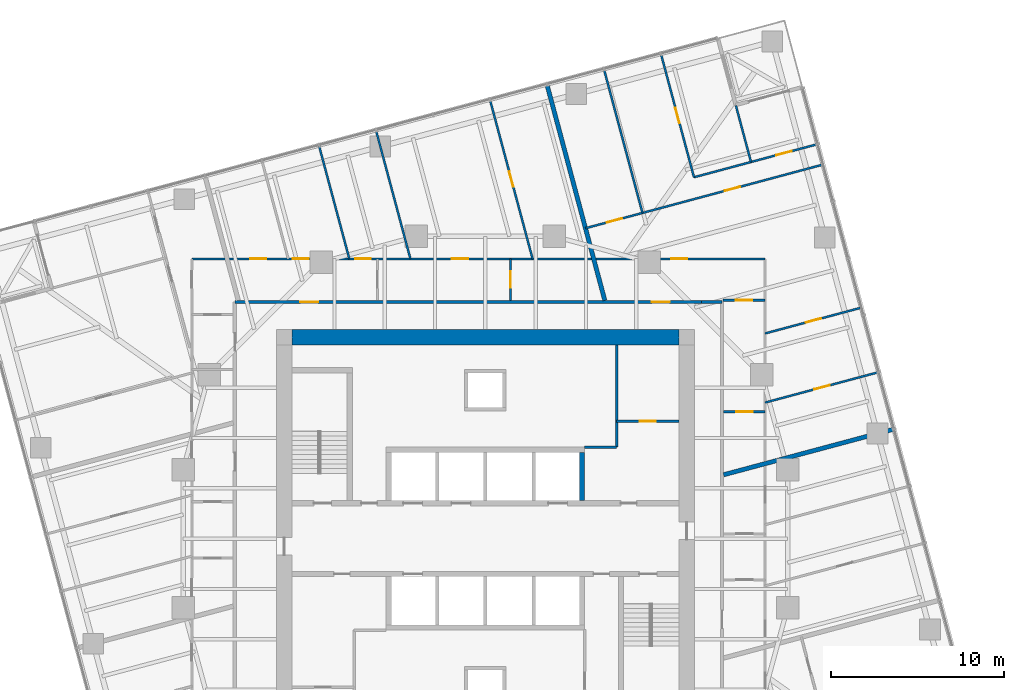
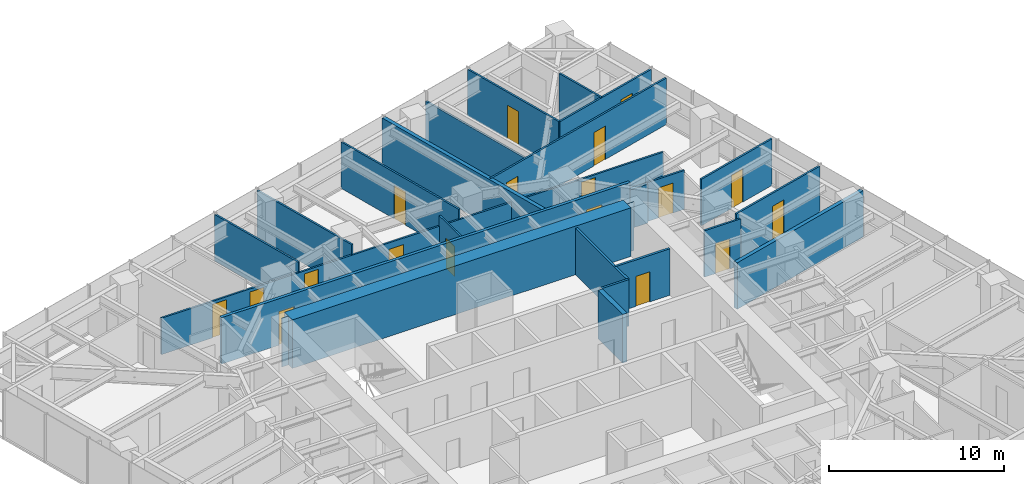
# One storey, part 12 of 14: 23 walls, 18 doors, 18 openings.
"""IFC4 building model written with IfcOpenShell, lengths in metres."""

from ifc_helpers import new_model, si_unit, direction, frame, frame_2d, origin, place, context, subcontext, project, spatial, polyline, rectangle, outline, extrude, material, layer, layer_set, type_object, element, fill, save


model = new_model("IFC4")

# Units and contexts
model_context = context("Model", 3, precision=1e-05, world=origin(), true_north=direction((0.0, 1.0)))
body_context = subcontext(model_context, "Body", "Model", "MODEL_VIEW")
ifc_project = project(units=[si_unit("LENGTHUNIT", "METRE"), si_unit("AREAUNIT", "SQUARE_METRE"), si_unit("VOLUMEUNIT", "CUBIC_METRE"), si_unit("PLANEANGLEUNIT", "RADIAN"), si_unit("MASSUNIT", "GRAM", prefix="KILO")], contexts=[model_context])

# Site, building, storey
site_placement = place(None, origin())
site = spatial("IfcSite", under=ifc_project, at=site_placement, CompositionType="ELEMENT")
building_placement = place(site_placement, origin())
building = spatial("IfcBuilding", under=site, at=building_placement, Name="Torsade Residences", CompositionType="ELEMENT")
storey_placement = place(building_placement, frame((0.0, 0.0, 128.60009765625)))
storey = spatial("IfcBuildingStorey", under=building, at=storey_placement, Name="L35", CompositionType="ELEMENT", Elevation=128.60009765625)

# Walls
ifc_material_1 = material(Name="Concrete 80 MPa", Category="concrete")
ifc_layer_1 = layer(ifc_material_1, 0.300048828125)
ifc_layer_set_1 = layer_set([ifc_layer_1], Name="Concrete 80 MPa")
wall_type_1 = type_object("IfcWallType", Name="CORE INTERNAL WALL 300", PredefinedType="SHEAR", material=ifc_layer_set_1)
wall_1_placement = place(storey_placement, frame((45.60009765625, 32.199951171875, 0.0), z_axis=(0.0, 0.0, 1.0), x_axis=(0.0, 1.0, 0.0)))
element("IfcWall", 1, at=wall_1_placement, inside=storey, type_object=wall_type_1, Name="Core wall DN4 L35", PredefinedType="SHEAR", context=body_context, shape_type="SweptSolid", body=[
    extrude(rectangle(XDim=2.800048828125, YDim=0.300048828125, at=frame_2d((1.39990234375, 0.0))), origin(), (0.0, 0.0, 1.0), 3.39990234375),
])
ifc_material_2 = material(Name="Concrete 80 MPa", Category="concrete")
ifc_layer_2 = layer(ifc_material_2, 0.89990234375)
ifc_layer_set_2 = layer_set([ifc_layer_2], Name="Concrete 80 MPa")
wall_type_2 = type_object("IfcWallType", Name="CORE WALL 900", PredefinedType="SHEAR", material=ifc_layer_set_2)
wall_2_placement = place(storey_placement, frame((28.800048828125, 41.64990234375, 0.0), z_axis=(0.0, 0.0, 1.0), x_axis=(1.0, 0.0, 0.0)))
element("IfcWall", 2, at=wall_2_placement, inside=storey, type_object=wall_type_2, Name="Core wall N L35", PredefinedType="SHEAR", context=body_context, shape_type="SweptSolid", body=[
    extrude(outline(polyline([(0.0, -0.449951171875), (22.39990234375, -0.449951171875), (22.39990234375, -0.02490234375), (22.849853515625, -0.02490234375), (22.849853515625, 0.02490234375), (22.39990234375, 0.02490234375), (22.39990234375, 0.449951171875), (0.0, 0.449951171875), (0.0, 0.02490234375), (-0.449951171875, 0.02490234375), (-0.449951171875, -0.02490234375), (0.0, -0.02490234375), (0.0, -0.449951171875)])), origin(), (0.0, 0.0, 1.0), 3.39990234375),
])
ifc_material_3 = material(Name="Plasterboard on steel stud", Category="steel")
ifc_layer_3 = layer(ifc_material_3, 0.199951171875)
ifc_layer_set_3 = layer_set([ifc_layer_3], Name="Plasterboard on steel stud")
wall_type_3 = type_object("IfcWallType", Name="CORRIDOR WALL 200", PredefinedType="PARTITIONING", material=ifc_layer_set_3)
wall_3_placement = place(storey_placement, frame((53.699951171875, 43.699951171875, 0.0), z_axis=(0.0, 0.0, 1.0), x_axis=(-1.0, 0.0, 0.0)))
element("IfcWall", 3, at=wall_3_placement, inside=storey, type_object=wall_type_3, Name="Corridor wall L35", PredefinedType="PARTITIONING", context=body_context, shape_type="SweptSolid", body=[
    extrude(rectangle(XDim=1.179931640625, YDim=0.199951171875, at=frame_2d((0.58984375, 0.0))), origin(), (0.0, 0.0, 1.0), 2.721923828125),
])

# Wall, openings, doors
wall_4_placement = place(storey_placement, frame((52.52001953125, 43.699951171875, 0.0), z_axis=(0.0, 0.0, 1.0), x_axis=(-1.0, 0.0, 0.0)))
wall_4 = element("IfcWall", 4, at=wall_4_placement, inside=storey, type_object=wall_type_3, Name="Corridor wall L35", PredefinedType="PARTITIONING", context=body_context, shape_type="SweptSolid", body=[
    extrude(rectangle(XDim=27.02001953125, YDim=0.199951171875, at=frame_2d((13.510009765625, 0.0))), origin(), (0.0, 0.0, 1.0), 3.25),
])
opening_1_placement = place(wall_4_placement, frame((22.2080078125, 0.0, 0.0)))
opening_1 = element("IfcOpeningElement", 5, at=opening_1_placement, cuts=wall_4, Name="Opening D01", PredefinedType="OPENING", context=body_context, shape_type="SweptSolid", body=[
    extrude(rectangle(XDim=1.02001953125, YDim=2.340087890625, at=frame_2d((0.510009765625, 1.169921875))), frame((0.0, 0.10986328125, 0.0), z_axis=(0.0, -1.0, 0.0), x_axis=(1.0, 0.0, 0.0)), (0.0, 0.0, 1.0), 0.219970703125),
])
opening_2_placement = place(wall_4_placement, frame((1.855712890625, 0.0, 0.0)))
opening_2 = element("IfcOpeningElement", 6, at=opening_2_placement, cuts=wall_4, Name="Opening D01", PredefinedType="OPENING", context=body_context, shape_type="SweptSolid", body=[
    extrude(rectangle(XDim=1.02001953125, YDim=2.340087890625, at=frame_2d((0.510009765625, 1.169921875))), frame((0.0, 0.10986328125, 0.0), z_axis=(0.0, -1.0, 0.0), x_axis=(1.0, 0.0, 0.0)), (0.0, 0.0, 1.0), 0.219970703125),
])
ifc_material_4 = material(Name="Solid-core timber fire door", Category="wood")
door_type_1 = type_object("IfcDoorType", Name="APARTMENT ENTRY DOOR 1020x2340", OperationType="NOTDEFINED", PredefinedType="DOOR", material=ifc_material_4)
door_1_placement = place(opening_1_placement, origin())
door_1 = element("IfcDoor", 7, at=door_1_placement, inside=storey, type_object=door_type_1, Name="Door Residential corridor to Kitchen and dining", OperationType="SINGLE_SWING_LEFT", OverallHeight=2.340087890625, OverallWidth=1.02001953125, PredefinedType="DOOR", context=body_context, shape_type="SweptSolid", body=[
    extrude(rectangle(XDim=1.02001953125, YDim=2.340087890625, at=frame_2d((0.510009765625, 1.169921875))), frame((0.0, 0.02490234375, 0.0), z_axis=(0.0, -1.0, 0.0), x_axis=(1.0, 0.0, 0.0)), (0.0, 0.0, 1.0), 0.050048828125),
])
fill(opening_1, door_1)
door_2_placement = place(opening_2_placement, origin())
door_2 = element("IfcDoor", 8, at=door_2_placement, inside=storey, type_object=door_type_1, Name="Door Residential corridor to Kitchen and dining", OperationType="SINGLE_SWING_RIGHT", OverallHeight=2.340087890625, OverallWidth=1.02001953125, PredefinedType="DOOR", context=body_context, shape_type="SweptSolid", body=[
    extrude(rectangle(XDim=1.02001953125, YDim=2.340087890625, at=frame_2d((0.510009765625, 1.169921875))), frame((0.0, 0.02490234375, 0.0), z_axis=(0.0, -1.0, 0.0), x_axis=(1.0, 0.0, 0.0)), (0.0, 0.0, 1.0), 0.050048828125),
])
fill(opening_2, door_2)

# Wall, opening, door
ifc_material_5 = material(Name="Plasterboard on steel stud", Category="steel")
ifc_layer_4 = layer(ifc_material_5, 0.1201171875)
ifc_layer_set_4 = layer_set([ifc_layer_4], Name="Plasterboard on steel stud")
wall_type_4 = type_object("IfcWallType", Name="PARTITION 120", PredefinedType="PARTITIONING", material=ifc_layer_set_4)
wall_5_placement = place(storey_placement, frame((56.199951171875, 43.800048828125, 0.0), z_axis=(0.0, 0.0, 1.0), x_axis=(-1.0, 0.0, 0.0)))
wall_5 = element("IfcWall", 9, at=wall_5_placement, inside=storey, type_object=wall_type_4, Name="Partition L35", PredefinedType="PARTITIONING", context=body_context, shape_type="SweptSolid", body=[
    extrude(rectangle(XDim=2.449951171875, YDim=0.1201171875, at=frame_2d((1.22509765625, 0.0))), origin(), (0.0, 0.0, 1.0), 2.721923828125),
])
opening_3_placement = place(wall_5_placement, frame((0.7451171875, 0.0, 0.0)))
opening_3 = element("IfcOpeningElement", 10, at=opening_3_placement, cuts=wall_5, Name="Opening D05", PredefinedType="OPENING", context=body_context, shape_type="SweptSolid", body=[
    extrude(rectangle(XDim=0.9599609375, YDim=2.10009765625, at=frame_2d((0.47998046875, 1.050048828125))), frame((0.0, 0.070068359375, 0.0), z_axis=(0.0, -1.0, 0.0), x_axis=(1.0, 0.0, 0.0)), (0.0, 0.0, 1.0), 0.14013671875),
])
ifc_material_6 = material(Name="Hollow-core timber door in a steel cavity frame", Category="steel")
door_type_2 = type_object("IfcDoorType", Name="BATHROOM CAVITY SLIDING DOOR 960", OperationType="SLIDING_TO_LEFT", PredefinedType="DOOR", material=ifc_material_6)
door_3_placement = place(opening_3_placement, origin())
door_3 = element("IfcDoor", 11, at=door_3_placement, inside=storey, type_object=door_type_2, Name="Door Kitchen and dining to Bathroom", OperationType="SLIDING_TO_LEFT", OverallHeight=2.10009765625, OverallWidth=0.9599609375, PredefinedType="DOOR", context=body_context, shape_type="SweptSolid", body=[
    extrude(rectangle(XDim=0.9599609375, YDim=2.10009765625, at=frame_2d((0.47998046875, 1.050048828125))), frame((0.0, 0.02490234375, 0.0), z_axis=(0.0, -1.0, 0.0), x_axis=(1.0, 0.0, 0.0)), (0.0, 0.0, 1.0), 0.050048828125),
])
fill(opening_3, door_3)

# Wall, openings, doors
wall_6_placement = place(storey_placement, frame((23.0, 46.199951171875, 0.0), z_axis=(0.0, 0.0, 1.0), x_axis=(1.0, 0.0, 0.0)))
wall_6 = element("IfcWall", 12, at=wall_6_placement, inside=storey, type_object=wall_type_4, Name="Partition L35", PredefinedType="PARTITIONING", context=body_context, shape_type="SweptSolid", body=[
    extrude(rectangle(XDim=33.199951171875, YDim=0.1201171875, at=frame_2d((16.60009765625, 0.0))), origin(), (0.0, 0.0, 1.0), 2.5498046875),
])
opening_4_placement = place(wall_6_placement, frame((5.843505859375, 0.0, 0.0)))
opening_4 = element("IfcOpeningElement", 13, at=opening_4_placement, cuts=wall_6, Name="Opening D02", PredefinedType="OPENING", context=body_context, shape_type="SweptSolid", body=[
    extrude(rectangle(XDim=0.919921875, YDim=2.340087890625, at=frame_2d((0.4599609375, 1.169921875))), frame((0.0, 0.070068359375, 0.0), z_axis=(0.0, -1.0, 0.0), x_axis=(1.0, 0.0, 0.0)), (0.0, 0.0, 1.0), 0.14013671875),
])
opening_5_placement = place(wall_6_placement, frame((3.382080078125, 0.0, 0.0)))
opening_5 = element("IfcOpeningElement", 14, at=opening_5_placement, cuts=wall_6, Name="Opening D02", PredefinedType="OPENING", context=body_context, shape_type="SweptSolid", body=[
    extrude(rectangle(XDim=0.919921875, YDim=2.340087890625, at=frame_2d((0.4599609375, 1.169921875))), frame((0.0, 0.070068359375, 0.0), z_axis=(0.0, -1.0, 0.0), x_axis=(1.0, 0.0, 0.0)), (0.0, 0.0, 1.0), 0.14013671875),
])
opening_6_placement = place(wall_6_placement, frame((9.4521484375, 0.0, 0.0)))
opening_6 = element("IfcOpeningElement", 15, at=opening_6_placement, cuts=wall_6, Name="Opening D02", PredefinedType="OPENING", context=body_context, shape_type="SweptSolid", body=[
    extrude(rectangle(XDim=0.919921875, YDim=2.340087890625, at=frame_2d((0.4599609375, 1.169921875))), frame((0.0, 0.070068359375, 0.0), z_axis=(0.0, -1.0, 0.0), x_axis=(1.0, 0.0, 0.0)), (0.0, 0.0, 1.0), 0.14013671875),
])
opening_7_placement = place(wall_6_placement, frame((27.775390625, 0.0, 0.0)))
opening_7 = element("IfcOpeningElement", 16, at=opening_7_placement, cuts=wall_6, Name="Opening D02", PredefinedType="OPENING", context=body_context, shape_type="SweptSolid", body=[
    extrude(rectangle(XDim=0.919921875, YDim=2.340087890625, at=frame_2d((0.4599609375, 1.169921875))), frame((0.0, 0.070068359375, 0.0), z_axis=(0.0, -1.0, 0.0), x_axis=(1.0, 0.0, 0.0)), (0.0, 0.0, 1.0), 0.14013671875),
])
opening_8_placement = place(wall_6_placement, frame((15.050048828125, 0.0, 0.0)))
opening_8 = element("IfcOpeningElement", 17, at=opening_8_placement, cuts=wall_6, Name="Opening D05", PredefinedType="OPENING", context=body_context, shape_type="SweptSolid", body=[
    extrude(rectangle(XDim=0.9599609375, YDim=2.10009765625, at=frame_2d((0.47998046875, 1.050048828125))), frame((0.0, 0.070068359375, 0.0), z_axis=(0.0, -1.0, 0.0), x_axis=(1.0, 0.0, 0.0)), (0.0, 0.0, 1.0), 0.14013671875),
])
door_4_placement = place(opening_8_placement, origin())
door_4 = element("IfcDoor", 18, at=door_4_placement, inside=storey, type_object=door_type_2, Name="Door Bathroom to Living room", OperationType="SLIDING_TO_LEFT", OverallHeight=2.10009765625, OverallWidth=0.9599609375, PredefinedType="DOOR", context=body_context, shape_type="SweptSolid", body=[
    extrude(rectangle(XDim=0.9599609375, YDim=2.10009765625, at=frame_2d((0.47998046875, 1.050048828125))), frame((0.0, 0.02490234375, 0.0), z_axis=(0.0, -1.0, 0.0), x_axis=(1.0, 0.0, 0.0)), (0.0, 0.0, 1.0), 0.050048828125),
])
fill(opening_8, door_4)
ifc_material_7 = material(Name="Hollow-core timber door", Category="wood")
door_type_3 = type_object("IfcDoorType", Name="INTERNAL DOOR 920x2340", OperationType="NOTDEFINED", PredefinedType="DOOR", material=ifc_material_7)
door_5_placement = place(opening_4_placement, origin())
door_5 = element("IfcDoor", 19, at=door_5_placement, inside=storey, type_object=door_type_3, Name="Door Kitchen and dining to Bedroom 3", OperationType="SINGLE_SWING_RIGHT", OverallHeight=2.340087890625, OverallWidth=0.919921875, PredefinedType="DOOR", context=body_context, shape_type="SweptSolid", body=[
    extrude(rectangle(XDim=0.919921875, YDim=2.340087890625, at=frame_2d((0.4599609375, 1.169921875))), frame((0.0, 0.02490234375, 0.0), z_axis=(0.0, -1.0, 0.0), x_axis=(1.0, 0.0, 0.0)), (0.0, 0.0, 1.0), 0.050048828125),
])
fill(opening_4, door_5)
door_6_placement = place(opening_5_placement, origin())
door_6 = element("IfcDoor", 20, at=door_6_placement, inside=storey, type_object=door_type_3, Name="Door Kitchen and dining to Study", OperationType="SINGLE_SWING_RIGHT", OverallHeight=2.340087890625, OverallWidth=0.919921875, PredefinedType="DOOR", context=body_context, shape_type="SweptSolid", body=[
    extrude(rectangle(XDim=0.919921875, YDim=2.340087890625, at=frame_2d((0.4599609375, 1.169921875))), frame((0.0, 0.02490234375, 0.0), z_axis=(0.0, -1.0, 0.0), x_axis=(1.0, 0.0, 0.0)), (0.0, 0.0, 1.0), 0.050048828125),
])
fill(opening_5, door_6)
door_7_placement = place(opening_6_placement, origin())
door_7 = element("IfcDoor", 21, at=door_7_placement, inside=storey, type_object=door_type_3, Name="Door Kitchen and dining to Bedroom 2", OperationType="SINGLE_SWING_LEFT", OverallHeight=2.340087890625, OverallWidth=0.919921875, PredefinedType="DOOR", context=body_context, shape_type="SweptSolid", body=[
    extrude(rectangle(XDim=0.919921875, YDim=2.340087890625, at=frame_2d((0.4599609375, 1.169921875))), frame((0.0, 0.02490234375, 0.0), z_axis=(0.0, -1.0, 0.0), x_axis=(1.0, 0.0, 0.0)), (0.0, 0.0, 1.0), 0.050048828125),
])
fill(opening_6, door_7)
door_8_placement = place(opening_7_placement, origin())
door_8 = element("IfcDoor", 22, at=door_8_placement, inside=storey, type_object=door_type_3, Name="Door Kitchen and dining to Living room", OperationType="SINGLE_SWING_LEFT", OverallHeight=2.340087890625, OverallWidth=0.919921875, PredefinedType="DOOR", context=body_context, shape_type="SweptSolid", body=[
    extrude(rectangle(XDim=0.919921875, YDim=2.340087890625, at=frame_2d((0.4599609375, 1.169921875))), frame((0.0, 0.02490234375, 0.0), z_axis=(0.0, -1.0, 0.0), x_axis=(1.0, 0.0, 0.0)), (0.0, 0.0, 1.0), 0.050048828125),
])
fill(opening_7, door_8)

# Wall, opening, door
wall_7_placement = place(storey_placement, frame((56.199951171875, 37.345458984375, 0.0), z_axis=(0.0, 0.0, 1.0), x_axis=(-1.0, 0.0, 0.0)))
wall_7 = element("IfcWall", 23, at=wall_7_placement, inside=storey, type_object=wall_type_4, Name="Partition L35", PredefinedType="PARTITIONING", context=body_context, shape_type="SweptSolid", body=[
    extrude(rectangle(XDim=2.39990234375, YDim=0.1201171875, at=frame_2d((1.199951171875, 0.0))), origin(), (0.0, 0.0, 1.0), 3.25),
])
opening_9_placement = place(wall_7_placement, frame((0.719970703125, 0.0, 0.0)))
opening_9 = element("IfcOpeningElement", 24, at=opening_9_placement, cuts=wall_7, Name="Opening D05", PredefinedType="OPENING", context=body_context, shape_type="SweptSolid", body=[
    extrude(rectangle(XDim=0.9599609375, YDim=2.10009765625, at=frame_2d((0.47998046875, 1.050048828125))), frame((0.0, 0.070068359375, 0.0), z_axis=(0.0, -1.0, 0.0), x_axis=(1.0, 0.0, 0.0)), (0.0, 0.0, 1.0), 0.14013671875),
])
door_9_placement = place(opening_9_placement, origin())
door_9 = element("IfcDoor", 25, at=door_9_placement, inside=storey, type_object=door_type_2, Name="Door Bathroom to Ensuite", OperationType="SLIDING_TO_LEFT", OverallHeight=2.10009765625, OverallWidth=0.9599609375, PredefinedType="DOOR", context=body_context, shape_type="SweptSolid", body=[
    extrude(rectangle(XDim=0.9599609375, YDim=2.10009765625, at=frame_2d((0.47998046875, 1.050048828125))), frame((0.0, 0.02490234375, 0.0), z_axis=(0.0, -1.0, 0.0), x_axis=(1.0, 0.0, 0.0)), (0.0, 0.0, 1.0), 0.050048828125),
])
fill(opening_9, door_9)

# Wall, openings, doors
wall_8_placement = place(storey_placement, frame((45.7958984375, 47.97265625, 0.0), z_axis=(0.0, 0.0, 1.0), x_axis=(0.965921975889, 0.258833414564, 0.0)))
wall_8 = element("IfcWall", 26, at=wall_8_placement, inside=storey, type_object=wall_type_4, Name="Partition L35", PredefinedType="PARTITIONING", context=body_context, shape_type="SweptSolid", body=[
    extrude(rectangle(XDim=14.209716796875, YDim=0.1201171875, at=frame_2d((7.10498046875, 0.0))), origin(), (0.0, 0.0, 1.0), 3.25),
])
opening_10_placement = place(wall_8_placement, frame((8.348388671875, 0.0, 0.0)))
opening_10 = element("IfcOpeningElement", 27, at=opening_10_placement, cuts=wall_8, Name="Opening D02", PredefinedType="OPENING", context=body_context, shape_type="SweptSolid", body=[
    extrude(rectangle(XDim=0.919921875, YDim=2.340087890625, at=frame_2d((0.4599609375, 1.169921875))), frame((0.0, 0.070068359375, 0.0), z_axis=(0.0, -1.0, 0.0), x_axis=(1.0, 0.0, 0.0)), (0.0, 0.0, 1.0), 0.14013671875),
])
opening_11_placement = place(wall_8_placement, frame((1.2734375, 0.0, 0.0)))
opening_11 = element("IfcOpeningElement", 28, at=opening_11_placement, cuts=wall_8, Name="Opening D02", PredefinedType="OPENING", context=body_context, shape_type="SweptSolid", body=[
    extrude(rectangle(XDim=0.919921875, YDim=2.340087890625, at=frame_2d((0.4599609375, 1.169921875))), frame((0.0, 0.070068359375, 0.0), z_axis=(0.0, -1.0, 0.0), x_axis=(1.0, 0.0, 0.0)), (0.0, 0.0, 1.0), 0.14013671875),
])
door_10_placement = place(opening_10_placement, origin())
door_10 = element("IfcDoor", 29, at=door_10_placement, inside=storey, type_object=door_type_3, Name="Door Living room to Bedroom 1", OperationType="SINGLE_SWING_RIGHT", OverallHeight=2.340087890625, OverallWidth=0.919921875, PredefinedType="DOOR", context=body_context, shape_type="SweptSolid", body=[
    extrude(rectangle(XDim=0.919921875, YDim=2.340087890625, at=frame_2d((0.4599609375, 1.169921875))), frame((0.0, 0.02490234375, 0.0), z_axis=(0.0, -1.0, 0.0), x_axis=(1.0, 0.0, 0.0)), (0.0, 0.0, 1.0), 0.050048828125),
])
fill(opening_10, door_10)
door_11_placement = place(opening_11_placement, origin())
door_11 = element("IfcDoor", 30, at=door_11_placement, inside=storey, type_object=door_type_3, Name="Door Living room to Bedroom 2", OperationType="SINGLE_SWING_RIGHT", OverallHeight=2.340087890625, OverallWidth=0.919921875, PredefinedType="DOOR", context=body_context, shape_type="SweptSolid", body=[
    extrude(rectangle(XDim=0.919921875, YDim=2.340087890625, at=frame_2d((0.4599609375, 1.169921875))), frame((0.0, 0.02490234375, 0.0), z_axis=(0.0, -1.0, 0.0), x_axis=(1.0, 0.0, 0.0)), (0.0, 0.0, 1.0), 0.050048828125),
])
fill(opening_11, door_11)

# Wall, opening, door
wall_9_placement = place(storey_placement, frame((61.741455078125, 43.365966796875, 0.0), z_axis=(0.0, 0.0, 1.0), x_axis=(-0.965924876974, -0.25882258797, 0.0)))
wall_9 = element("IfcWall", 31, at=wall_9_placement, inside=storey, type_object=wall_type_4, Name="Partition L35", PredefinedType="PARTITIONING", context=body_context, shape_type="SweptSolid", body=[
    extrude(rectangle(XDim=5.737060546875, YDim=0.1201171875, at=frame_2d((2.86865234375, 0.0))), origin(), (0.0, 0.0, 1.0), 3.25),
])
opening_12_placement = place(wall_9_placement, frame((2.388427734375, 0.0, 0.0)))
opening_12 = element("IfcOpeningElement", 32, at=opening_12_placement, cuts=wall_9, Name="Opening D02", PredefinedType="OPENING", context=body_context, shape_type="SweptSolid", body=[
    extrude(rectangle(XDim=0.919921875, YDim=2.340087890625, at=frame_2d((0.4599609375, 1.169921875))), frame((0.0, 0.070068359375, 0.0), z_axis=(0.0, -1.0, 0.0), x_axis=(1.0, 0.0, 0.0)), (0.0, 0.0, 1.0), 0.14013671875),
])
door_12_placement = place(opening_12_placement, origin())
door_12 = element("IfcDoor", 33, at=door_12_placement, inside=storey, type_object=door_type_3, Name="Door Living room to Family room", OperationType="SINGLE_SWING_RIGHT", OverallHeight=2.340087890625, OverallWidth=0.919921875, PredefinedType="DOOR", context=body_context, shape_type="SweptSolid", body=[
    extrude(rectangle(XDim=0.919921875, YDim=2.340087890625, at=frame_2d((0.4599609375, 1.169921875))), frame((0.0, 0.02490234375, 0.0), z_axis=(0.0, -1.0, 0.0), x_axis=(1.0, 0.0, 0.0)), (0.0, 0.0, 1.0), 0.050048828125),
])
fill(opening_12, door_12)

# Wall
wall_10_placement = place(storey_placement, frame((49.095947265625, 48.857177734375, 0.0), z_axis=(0.0, 0.0, 1.0), x_axis=(-0.258800415469, 0.965930817892, 0.0)))
element("IfcWall", 34, at=wall_10_placement, inside=storey, type_object=wall_type_4, Name="Partition L35", PredefinedType="PARTITIONING", context=body_context, shape_type="SweptSolid", body=[
    extrude(rectangle(XDim=8.599609375, YDim=0.1201171875, at=frame_2d((4.2998046875, 0.0))), origin(), (0.0, 0.0, 1.0), 2.721923828125),
])

# Wall, opening, door
wall_11_placement = place(storey_placement, frame((50.17041015625, 58.048095703125, 0.0), z_axis=(0.0, 0.0, 1.0), x_axis=(0.258807770359, -0.965928847277, 0.0)))
wall_11 = element("IfcWall", 35, at=wall_11_placement, inside=storey, type_object=wall_type_4, Name="Partition L35", PredefinedType="PARTITIONING", context=body_context, shape_type="SweptSolid", body=[
    extrude(rectangle(XDim=7.376708984375, YDim=0.1201171875, at=frame_2d((3.6884765625, 0.0))), origin(), (0.0, 0.0, 1.0), 3.25),
])
opening_13_placement = place(wall_11_placement, frame((3.208251953125, 0.0, 0.0)))
opening_13 = element("IfcOpeningElement", 36, at=opening_13_placement, cuts=wall_11, Name="Opening D02", PredefinedType="OPENING", context=body_context, shape_type="SweptSolid", body=[
    extrude(rectangle(XDim=0.919921875, YDim=2.340087890625, at=frame_2d((0.4599609375, 1.169921875))), frame((0.0, 0.070068359375, 0.0), z_axis=(0.0, -1.0, 0.0), x_axis=(1.0, 0.0, 0.0)), (0.0, 0.0, 1.0), 0.14013671875),
])
door_13_placement = place(opening_13_placement, origin())
door_13 = element("IfcDoor", 37, at=door_13_placement, inside=storey, type_object=door_type_3, Name="Door Bedroom 1 to Bedroom 3", OperationType="SINGLE_SWING_RIGHT", OverallHeight=2.340087890625, OverallWidth=0.919921875, PredefinedType="DOOR", context=body_context, shape_type="SweptSolid", body=[
    extrude(rectangle(XDim=0.919921875, YDim=2.340087890625, at=frame_2d((0.4599609375, 1.169921875))), frame((0.0, 0.02490234375, 0.0), z_axis=(0.0, -1.0, 0.0), x_axis=(1.0, 0.0, 0.0)), (0.0, 0.0, 1.0), 0.050048828125),
])
fill(opening_13, door_13)

wall_12_placement = place(storey_placement, frame((52.07958984375, 50.922607421875, 0.0), z_axis=(0.0, 0.0, 1.0), x_axis=(0.965920573283, 0.258838648792, 0.0)))
wall_12 = element("IfcWall", 38, at=wall_12_placement, inside=storey, type_object=wall_type_4, Name="Partition L35", PredefinedType="PARTITIONING", context=body_context, shape_type="SweptSolid", body=[
    extrude(rectangle(XDim=7.376953125, YDim=0.1201171875, at=frame_2d((3.6884765625, 0.0))), origin(), (0.0, 0.0, 1.0), 3.25),
])
opening_14_placement = place(wall_12_placement, frame((4.931640625, 0.0, 0.0)))
opening_14 = element("IfcOpeningElement", 39, at=opening_14_placement, cuts=wall_12, Name="Opening D02", PredefinedType="OPENING", context=body_context, shape_type="SweptSolid", body=[
    extrude(rectangle(XDim=0.919921875, YDim=2.340087890625, at=frame_2d((0.4599609375, 1.169921875))), frame((0.0, 0.070068359375, 0.0), z_axis=(0.0, -1.0, 0.0), x_axis=(1.0, 0.0, 0.0)), (0.0, 0.0, 1.0), 0.14013671875),
])
door_14_placement = place(opening_14_placement, origin())
door_14 = element("IfcDoor", 40, at=door_14_placement, inside=storey, type_object=door_type_3, Name="Door Bedroom 1 to Media room", OperationType="SINGLE_SWING_LEFT", OverallHeight=2.340087890625, OverallWidth=0.919921875, PredefinedType="DOOR", context=body_context, shape_type="SweptSolid", body=[
    extrude(rectangle(XDim=0.919921875, YDim=2.340087890625, at=frame_2d((0.4599609375, 1.169921875))), frame((0.0, 0.02490234375, 0.0), z_axis=(0.0, -1.0, 0.0), x_axis=(1.0, 0.0, 0.0)), (0.0, 0.0, 1.0), 0.050048828125),
])
fill(opening_14, door_14)

# Wall
wall_13_placement = place(storey_placement, frame((54.506103515625, 55.068603515625, 0.0), z_axis=(0.0, 0.0, 1.0), x_axis=(0.258783069815, -0.96593546512, 0.0)))
element("IfcWall", 41, at=wall_13_placement, inside=storey, type_object=wall_type_4, Name="Partition L35", PredefinedType="PARTITIONING", context=body_context, shape_type="SweptSolid", body=[
    extrude(rectangle(XDim=3.37646484375, YDim=0.1201171875, at=frame_2d((1.688232421875, 0.0))), origin(), (0.0, 0.0, 1.0), 3.25),
])

# Wall, opening, door
wall_14_placement = place(storey_placement, frame((56.199951171875, 37.8779296875, 0.0), z_axis=(0.0, 0.0, 1.0), x_axis=(0.96591892777, 0.258844789354, 0.0)))
wall_14 = element("IfcWall", 42, at=wall_14_placement, inside=storey, type_object=wall_type_4, Name="Partition L35", PredefinedType="PARTITIONING", context=body_context, shape_type="SweptSolid", body=[
    extrude(rectangle(XDim=6.77294921875, YDim=0.1201171875, at=frame_2d((3.386474609375, 0.0))), origin(), (0.0, 0.0, 1.0), 3.25),
])
opening_15_placement = place(wall_14_placement, frame((2.946533203125, 0.0, 0.0)))
opening_15 = element("IfcOpeningElement", 43, at=opening_15_placement, cuts=wall_14, Name="Opening D02", PredefinedType="OPENING", context=body_context, shape_type="SweptSolid", body=[
    extrude(rectangle(XDim=0.919921875, YDim=2.340087890625, at=frame_2d((0.4599609375, 1.169921875))), frame((0.0, 0.070068359375, 0.0), z_axis=(0.0, -1.0, 0.0), x_axis=(1.0, 0.0, 0.0)), (0.0, 0.0, 1.0), 0.14013671875),
])
door_15_placement = place(opening_15_placement, origin())
door_15 = element("IfcDoor", 44, at=door_15_placement, inside=storey, type_object=door_type_3, Name="Door Family room to Study", OperationType="SINGLE_SWING_LEFT", OverallHeight=2.340087890625, OverallWidth=0.919921875, PredefinedType="DOOR", context=body_context, shape_type="SweptSolid", body=[
    extrude(rectangle(XDim=0.919921875, YDim=2.340087890625, at=frame_2d((0.4599609375, 1.169921875))), frame((0.0, 0.02490234375, 0.0), z_axis=(0.0, -1.0, 0.0), x_axis=(1.0, 0.0, 0.0)), (0.0, 0.0, 1.0), 0.050048828125),
])
fill(opening_15, door_15)

wall_15_placement = place(storey_placement, frame((41.45263671875, 46.199951171875, 0.0), z_axis=(0.0, 0.0, 1.0), x_axis=(0.0, -1.0, 0.0)))
wall_15 = element("IfcWall", 45, at=wall_15_placement, inside=storey, type_object=wall_type_4, Name="Partition L35", PredefinedType="PARTITIONING", context=body_context, shape_type="SweptSolid", body=[
    extrude(rectangle(XDim=2.39990234375, YDim=0.1201171875, at=frame_2d((1.199951171875, 0.0))), origin(), (0.0, 0.0, 1.0), 3.25),
])
opening_16_placement = place(wall_15_placement, frame((0.719970703125, 0.0, 0.0)))
opening_16 = element("IfcOpeningElement", 46, at=opening_16_placement, cuts=wall_15, Name="Opening D05", PredefinedType="OPENING", context=body_context, shape_type="SweptSolid", body=[
    extrude(rectangle(XDim=0.9599609375, YDim=2.10009765625, at=frame_2d((0.47998046875, 1.050048828125))), frame((0.0, 0.070068359375, 0.0), z_axis=(0.0, -1.0, 0.0), x_axis=(1.0, 0.0, 0.0)), (0.0, 0.0, 1.0), 0.14013671875),
])
door_16_placement = place(opening_16_placement, origin())
door_16 = element("IfcDoor", 47, at=door_16_placement, inside=storey, type_object=door_type_2, Name="Door Bathroom to Ensuite", OperationType="SLIDING_TO_LEFT", OverallHeight=2.10009765625, OverallWidth=0.9599609375, PredefinedType="DOOR", context=body_context, shape_type="SweptSolid", body=[
    extrude(rectangle(XDim=0.9599609375, YDim=2.10009765625, at=frame_2d((0.47998046875, 1.050048828125))), frame((0.0, 0.02490234375, 0.0), z_axis=(0.0, -1.0, 0.0), x_axis=(1.0, 0.0, 0.0)), (0.0, 0.0, 1.0), 0.050048828125),
])
fill(opening_16, door_16)

wall_16_placement = place(storey_placement, frame((40.269775390625, 55.395263671875, 0.0), z_axis=(0.0, 0.0, 1.0), x_axis=(0.25881812666, -0.965926072385, 0.0)))
wall_16 = element("IfcWall", 48, at=wall_16_placement, inside=storey, type_object=wall_type_4, Name="Partition L35", PredefinedType="PARTITIONING", context=body_context, shape_type="SweptSolid", body=[
    extrude(rectangle(XDim=9.519775390625, YDim=0.1201171875, at=frame_2d((4.759765625, 0.0))), origin(), (0.0, 0.0, 1.0), 3.25),
])
opening_17_placement = place(wall_16_placement, frame((4.27978515625, 0.0, 0.0)))
opening_17 = element("IfcOpeningElement", 49, at=opening_17_placement, cuts=wall_16, Name="Opening D02", PredefinedType="OPENING", context=body_context, shape_type="SweptSolid", body=[
    extrude(rectangle(XDim=0.919921875, YDim=2.340087890625, at=frame_2d((0.4599609375, 1.169921875))), frame((0.0, 0.070068359375, 0.0), z_axis=(0.0, -1.0, 0.0), x_axis=(1.0, 0.0, 0.0)), (0.0, 0.0, 1.0), 0.14013671875),
])
door_17_placement = place(opening_17_placement, origin())
door_17 = element("IfcDoor", 50, at=door_17_placement, inside=storey, type_object=door_type_3, Name="Door Living room to Bedroom 1", OperationType="SINGLE_SWING_LEFT", OverallHeight=2.340087890625, OverallWidth=0.919921875, PredefinedType="DOOR", context=body_context, shape_type="SweptSolid", body=[
    extrude(rectangle(XDim=0.919921875, YDim=2.340087890625, at=frame_2d((0.4599609375, 1.169921875))), frame((0.0, 0.02490234375, 0.0), z_axis=(0.0, -1.0, 0.0), x_axis=(1.0, 0.0, 0.0)), (0.0, 0.0, 1.0), 0.050048828125),
])
fill(opening_17, door_17)

# Walls
wall_17_placement = place(storey_placement, frame((35.6591796875, 46.199951171875, 0.0), z_axis=(0.0, 0.0, 1.0), x_axis=(-0.258826555959, 0.96592381373, 0.0)))
element("IfcWall", 51, at=wall_17_placement, inside=storey, type_object=wall_type_4, Name="Partition L35", PredefinedType="PARTITIONING", context=body_context, shape_type="SweptSolid", body=[
    extrude(rectangle(XDim=7.6884765625, YDim=0.1201171875, at=frame_2d((3.84423828125, 0.0))), origin(), (0.0, 0.0, 1.0), 3.25),
])
wall_18_placement = place(storey_placement, frame((32.1220703125, 46.199951171875, 0.0), z_axis=(0.0, 0.0, 1.0), x_axis=(-0.258811158187, 0.965927939547, 0.0)))
element("IfcWall", 52, at=wall_18_placement, inside=storey, type_object=wall_type_4, Name="Partition L35", PredefinedType="PARTITIONING", context=body_context, shape_type="SweptSolid", body=[
    extrude(rectangle(XDim=6.77294921875, YDim=0.1201171875, at=frame_2d((3.386474609375, 0.0))), origin(), (0.0, 0.0, 1.0), 3.25),
])
ifc_material_8 = material(Name="Masonry-lined stud party wall", Category="masonry")
ifc_layer_5 = layer(ifc_material_8, 0.25)
ifc_layer_set_5 = layer_set([ifc_layer_5], Name="Masonry-lined stud party wall")
wall_type_5 = type_object("IfcWallType", Name="PARTY WALL 250", PredefinedType="PARTITIONING", material=ifc_layer_set_5)
wall_19_placement = place(storey_placement, frame((63.665283203125, 36.341064453125, 0.0), z_axis=(0.0, 0.0, 1.0), x_axis=(-0.965927365002, -0.258813302479, 0.0)))
element("IfcWall", 53, at=wall_19_placement, inside=storey, type_object=wall_type_5, Name="Party wall L35", PredefinedType="PARTITIONING", context=body_context, shape_type="SweptSolid", body=[
    extrude(rectangle(XDim=10.2197265625, YDim=0.25, at=frame_2d((5.10986328125, 0.0))), origin(), (0.0, 0.0, 1.0), 3.25),
])
wall_20_placement = place(storey_placement, frame((43.5595703125, 56.318115234375, 0.0), z_axis=(0.0, 0.0, 1.0), x_axis=(0.258822671559, -0.965924854576, 0.0)))
element("IfcWall", 54, at=wall_20_placement, inside=storey, type_object=wall_type_5, Name="Party wall L35", PredefinedType="PARTITIONING", context=body_context, shape_type="SweptSolid", body=[
    extrude(rectangle(XDim=12.96630859375, YDim=0.25, at=frame_2d((6.483154296875, 0.0))), origin(), (0.0, 0.0, 1.0), 3.25),
])
ifc_material_9 = material(Name="Reinforced blockwork", Category="masonry")
ifc_layer_6 = layer(ifc_material_9, 0.14990234375)
ifc_layer_set_6 = layer_set([ifc_layer_6], Name="Reinforced blockwork")
wall_type_6 = type_object("IfcWallType", Name="SERVICE ROOM WALL 150", PredefinedType="SOLIDWALL", material=ifc_layer_set_6)
wall_21_placement = place(storey_placement, frame((47.60009765625, 41.199951171875, 0.0), z_axis=(0.0, 0.0, 1.0), x_axis=(0.0, -1.0, 0.0)))
element("IfcWall", 55, at=wall_21_placement, inside=storey, type_object=wall_type_6, Name="Service room wall L35", PredefinedType="SOLIDWALL", context=body_context, shape_type="SweptSolid", body=[
    extrude(rectangle(XDim=5.89990234375, YDim=0.14990234375, at=frame_2d((2.949951171875, 0.0))), origin(), (0.0, 0.0, 1.0), 3.25),
])
wall_22_placement = place(storey_placement, frame((47.60009765625, 35.300048828125, 0.0), z_axis=(0.0, 0.0, 1.0), x_axis=(-1.0, 0.0, 0.0)))
element("IfcWall", 56, at=wall_22_placement, inside=storey, type_object=wall_type_6, Name="Service room wall L35", PredefinedType="SOLIDWALL", context=body_context, shape_type="SweptSolid", body=[
    extrude(rectangle(XDim=1.85009765625, YDim=0.14990234375, at=frame_2d((0.925048828125, 0.0))), origin(), (0.0, 0.0, 1.0), 3.25),
])

# Wall, opening, door
wall_23_placement = place(storey_placement, frame((47.60009765625, 36.800048828125, 0.0), z_axis=(0.0, 0.0, 1.0), x_axis=(1.0, 0.0, 0.0)))
wall_23 = element("IfcWall", 57, at=wall_23_placement, inside=storey, type_object=wall_type_6, Name="Service room wall L35", PredefinedType="SOLIDWALL", context=body_context, shape_type="SweptSolid", body=[
    extrude(rectangle(XDim=3.599853515625, YDim=0.14990234375, at=frame_2d((1.7998046875, 0.0))), origin(), (0.0, 0.0, 1.0), 3.25),
])
opening_18_placement = place(wall_23_placement, frame((1.340087890625, 0.0, 0.0)))
opening_18 = element("IfcOpeningElement", 58, at=opening_18_placement, cuts=wall_23, Name="Opening D06", PredefinedType="OPENING", context=body_context, shape_type="SweptSolid", body=[
    extrude(rectangle(XDim=0.919921875, YDim=2.10009765625, at=frame_2d((0.4599609375, 1.050048828125))), frame((0.0, 0.0849609375, 0.0), z_axis=(0.0, -1.0, 0.0), x_axis=(1.0, 0.0, 0.0)), (0.0, 0.0, 1.0), 0.169921875),
])
ifc_material_10 = material(Name="Steel-framed fire door", Category="steel")
door_type_4 = type_object("IfcDoorType", Name="FIRE DOOR 920", OperationType="NOTDEFINED", PredefinedType="DOOR", material=ifc_material_10)
door_18_placement = place(opening_18_placement, origin())
door_18 = element("IfcDoor", 59, at=door_18_placement, inside=storey, type_object=door_type_4, Name="Door Refuse room to Bulky waste store", OperationType="SINGLE_SWING_LEFT", OverallHeight=2.10009765625, OverallWidth=0.919921875, PredefinedType="DOOR", context=body_context, shape_type="SweptSolid", body=[
    extrude(rectangle(XDim=0.919921875, YDim=2.10009765625, at=frame_2d((0.4599609375, 1.050048828125))), frame((0.0, 0.02490234375, 0.0), z_axis=(0.0, -1.0, 0.0), x_axis=(1.0, 0.0, 0.0)), (0.0, 0.0, 1.0), 0.050048828125),
])
fill(opening_18, door_18)

save(model, "model.ifc")
